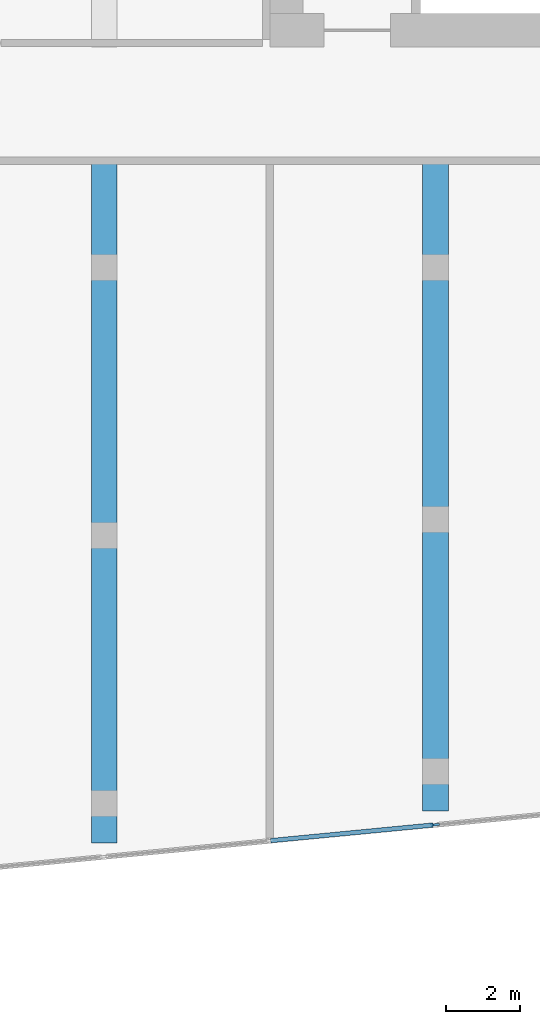
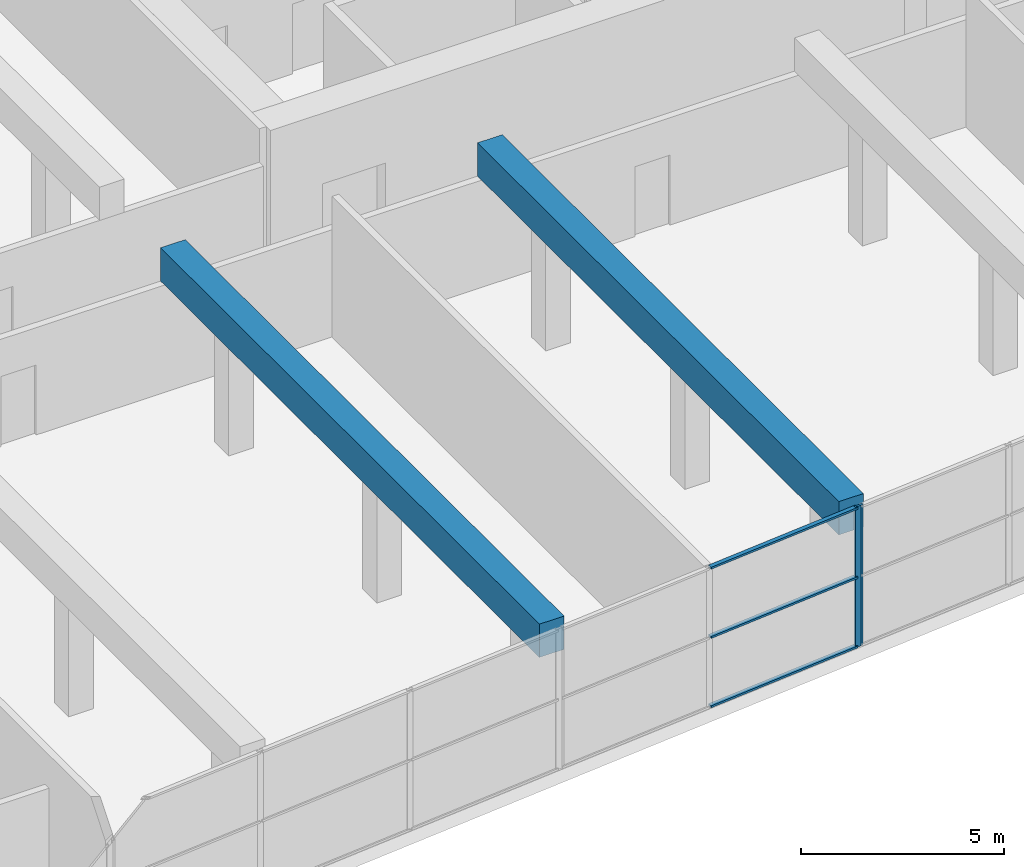
# One storey, part 5 of 21: 5 members, 2 beams, 2 elements without a shape of their own.
"""IFC4 building model written with IfcOpenShell, lengths in metres."""

from ifc_helpers import new_model, si_unit, direction, frame, origin, origin_2d, place, context, subcontext, project, spatial, rectangle, extrude, material, material_profile, profile_set, type_object, element, aggregate, save


model = new_model("IFC4")

# Units and contexts
model_context = context("Model", 3, precision=1e-05, world=origin(), true_north=direction((0.0, 1.0)))
body_context = subcontext(model_context, "Body", "Model", "MODEL_VIEW")
ifc_project = project(units=[si_unit("LENGTHUNIT", "METRE"), si_unit("AREAUNIT", "SQUARE_METRE"), si_unit("VOLUMEUNIT", "CUBIC_METRE"), si_unit("PLANEANGLEUNIT", "RADIAN"), si_unit("MASSUNIT", "GRAM", prefix="KILO")], contexts=[model_context])

# Site, building, storey
site_placement = place(None, origin())
site = spatial("IfcSite", under=ifc_project, at=site_placement, CompositionType="ELEMENT")
building_placement = place(site_placement, origin())
building = spatial("IfcBuilding", under=site, at=building_placement, Name="Kajstack Hotel Tower", CompositionType="ELEMENT")
storey_placement = place(building_placement, frame((0.0, 0.0, 162.39990234375)))
storey = spatial("IfcBuildingStorey", under=building, at=storey_placement, Name="L37", CompositionType="ELEMENT", Elevation=162.39990234375)

# Curtain wall, member
ifc_material_1 = material(Name="Aluminium-framed curtain wall, insulated glass with fritted edge", Category="aluminium")
curtain_wall_type = type_object("IfcCurtainWallType", Name="CW-SPA", PredefinedType="NOTDEFINED", material=ifc_material_1)
curtain_wall_1_placement = place(storey_placement, origin())
curtain_wall_1 = element("IfcCurtainWall", 1, at=curtain_wall_1_placement, inside=storey, type_object=curtain_wall_type, Name="Curtain wall CU7 L37-04-02-2", PredefinedType="NOTDEFINED")
ifc_material_2 = material(Name="Aluminium", Category="aluminium")
ifc_material_profile_1 = material_profile(ifc_material_2, rectangle(XDim=0.06005859375, YDim=0.179931640625, at=origin_2d()), Name="Aluminium mullion 60 x 180")
ifc_profile_set_1 = profile_set([ifc_material_profile_1], Name="Aluminium")
member_type_1 = type_object("IfcMemberType", Name="CW-M-SPA", PredefinedType="MULLION", material=ifc_profile_set_1)
member_1_placement = place(storey_placement, frame((17.962890625, -19.647705078125, 0.0), z_axis=(0.0, 0.0, 1.0), x_axis=(-0.095845342936, 0.995396237806, 0.0)))
member_1 = element("IfcMember", 2, at=member_1_placement, type_object=member_type_1, Name="CU7 mullion 3", PredefinedType="MULLION", context=body_context, shape_type="SweptSolid", body=[
    extrude(rectangle(XDim=0.06005859375, YDim=0.179931640625, at=origin_2d()), origin(), (0.0, 0.0, 1.0), 4.22021484375),
])

curtain_wall_2_placement = place(storey_placement, origin())
curtain_wall_2 = element("IfcCurtainWall", 3, at=curtain_wall_2_placement, inside=storey, type_object=curtain_wall_type, Name="Curtain wall CU7 L37-04-02-3", PredefinedType="NOTDEFINED")
member_2_placement = place(storey_placement, frame((18.022705078125, -19.641845703125, 0.0), z_axis=(0.0, 0.0, 1.0), x_axis=(-0.095845332373, 0.995396238823, 0.0)))
member_2 = element("IfcMember", 4, at=member_2_placement, type_object=member_type_1, Name="CU7 mullion 1", PredefinedType="MULLION", context=body_context, shape_type="SweptSolid", body=[
    extrude(rectangle(XDim=0.06005859375, YDim=0.179931640625, at=origin_2d()), origin(), (0.0, 0.0, 1.0), 4.22021484375),
])
aggregate(curtain_wall_2, [member_2])

# Member
ifc_material_profile_2 = material_profile(ifc_material_2, rectangle(XDim=0.1201171875, YDim=0.06005859375, at=origin_2d()), Name="Aluminium transom 120 x 60")
ifc_profile_set_2 = profile_set([ifc_material_profile_2], Name="Aluminium")
member_type_2 = type_object("IfcMemberType", Name="CW-T-SPA", PredefinedType="USERDEFINED", material=ifc_profile_set_2)
member_3_placement = place(storey_placement, frame((13.522705078125, -20.0751953125, 0.030029296875), z_axis=(0.995398624916, 0.095820548504, 0.0), x_axis=(-0.095820548504, 0.995398624916, 0.0)))
member_3 = element("IfcMember", 5, at=member_3_placement, type_object=member_type_2, Name="CU7 transom 2.1", ObjectType="TRANSOM", PredefinedType="USERDEFINED", context=body_context, shape_type="SweptSolid", body=[
    extrude(rectangle(XDim=0.1201171875, YDim=0.06005859375, at=origin_2d()), origin(), (0.0, 0.0, 1.0), 4.430908203125),
])

member_4_placement = place(storey_placement, frame((13.522705078125, -20.0751953125, 2.110107421875), z_axis=(0.995398624916, 0.095820548504, 0.0), x_axis=(-0.095820548504, 0.995398624916, 0.0)))
member_4 = element("IfcMember", 6, at=member_4_placement, type_object=member_type_2, Name="CU7 transom 2.2", ObjectType="TRANSOM", PredefinedType="USERDEFINED", context=body_context, shape_type="SweptSolid", body=[
    extrude(rectangle(XDim=0.1201171875, YDim=0.06005859375, at=origin_2d()), origin(), (0.0, 0.0, 1.0), 4.430908203125),
])

member_5_placement = place(storey_placement, frame((13.522705078125, -20.0751953125, 4.190185546875), z_axis=(0.995398624916, 0.095820548504, 0.0), x_axis=(-0.095820548504, 0.995398624916, 0.0)))
member_5 = element("IfcMember", 7, at=member_5_placement, type_object=member_type_2, Name="CU7 transom 2.3", ObjectType="TRANSOM", PredefinedType="USERDEFINED", context=body_context, shape_type="SweptSolid", body=[
    extrude(rectangle(XDim=0.1201171875, YDim=0.06005859375, at=origin_2d()), origin(), (0.0, 0.0, 1.0), 4.430908203125),
])

aggregate(curtain_wall_1, [member_1, member_3, member_4, member_5])

# Beams
ifc_material_3 = material(Name="Concrete C60/75", Category="concrete")
ifc_material_profile_3 = material_profile(ifc_material_3, rectangle(XDim=0.699951171875, YDim=1.0, at=origin_2d()), Name="RC 700x1000")
ifc_profile_set_3 = profile_set([ifc_material_profile_3], Name="Concrete C60/75")
beam_type = type_object("IfcBeamType", Name="TG3 RC 700x1000 C60/75", PredefinedType="BEAM", material=ifc_profile_set_3)
beam_1_placement = place(storey_placement, frame((9.0, -20.134033203125, 3.72021484375), z_axis=(0.0, 1.0, 0.0), x_axis=(-1.0, 0.0, 0.0)))
element("IfcBeam", 8, at=beam_1_placement, inside=storey, type_object=beam_type, Name="S-girder-L37-+9p0-1", PredefinedType="BEAM", context=body_context, shape_type="SweptSolid", body=[
    extrude(rectangle(XDim=0.699951171875, YDim=1.0, at=origin_2d()), origin(), (0.0, 0.0, 1.0), 18.634033203125),
])
beam_2_placement = place(storey_placement, frame((18.0, -19.267333984375, 3.72021484375), z_axis=(0.0, 1.0, 0.0), x_axis=(-1.0, 0.0, 0.0)))
element("IfcBeam", 9, at=beam_2_placement, inside=storey, type_object=beam_type, Name="S-girder-L37-+18p0-1", PredefinedType="BEAM", context=body_context, shape_type="SweptSolid", body=[
    extrude(rectangle(XDim=0.699951171875, YDim=1.0, at=origin_2d()), origin(), (0.0, 0.0, 1.0), 17.767333984375),
])

save(model, "model.ifc")
